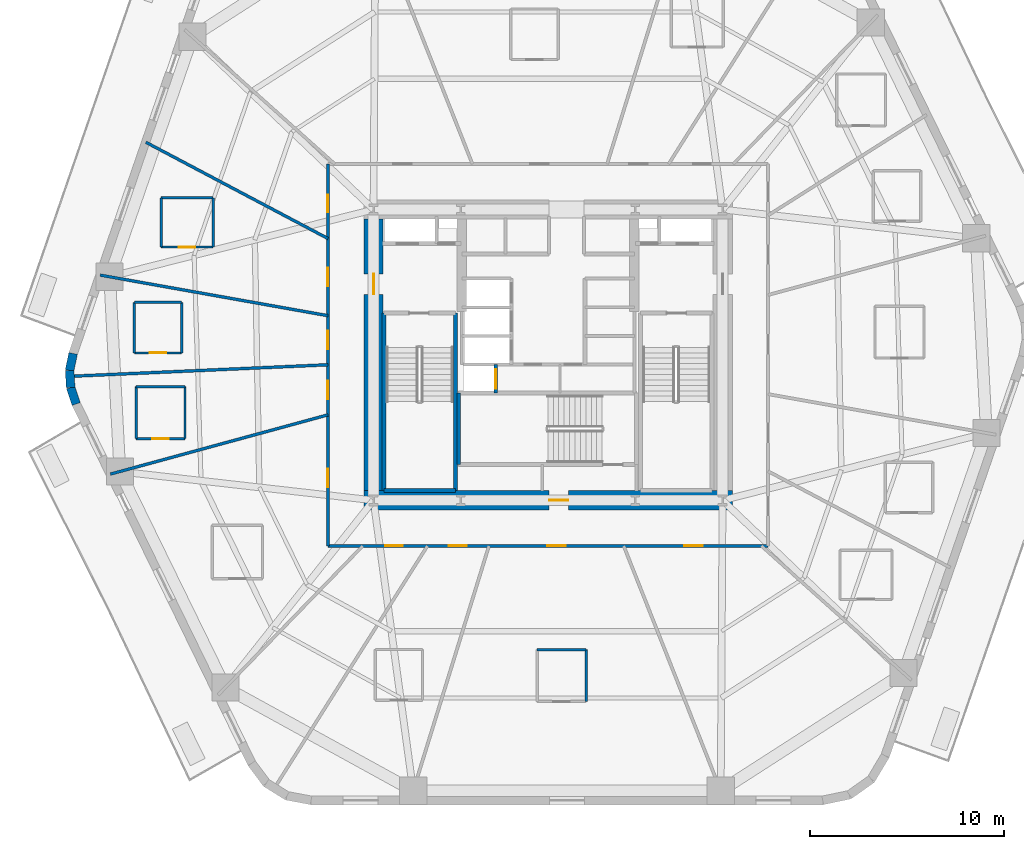
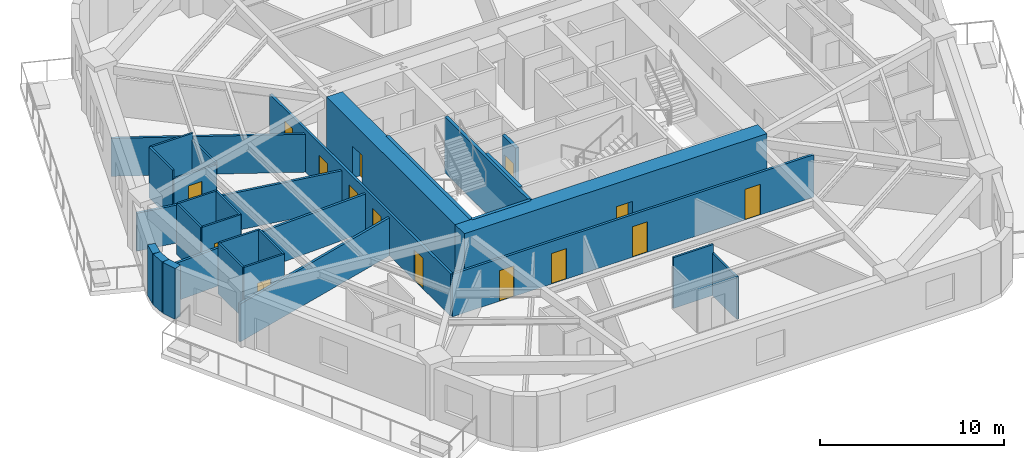
# One storey, part 3 of 10: 30 walls, 15 doors, 15 openings.
"""IFC4 building model written with IfcOpenShell, lengths in metres."""

from ifc_helpers import new_model, si_unit, direction, frame, frame_2d, origin, place, context, subcontext, project, spatial, rectangle, extrude, material, layer, layer_set, type_object, element, fill, save


model = new_model("IFC4")

# Units and contexts
model_context = context("Model", 3, precision=1e-05, world=origin(), true_north=direction((0.0, 1.0)))
body_context = subcontext(model_context, "Body", "Model", "MODEL_VIEW")
ifc_project = project(units=[si_unit("LENGTHUNIT", "METRE"), si_unit("AREAUNIT", "SQUARE_METRE"), si_unit("VOLUMEUNIT", "CUBIC_METRE"), si_unit("PLANEANGLEUNIT", "RADIAN"), si_unit("MASSUNIT", "GRAM", prefix="KILO")], contexts=[model_context])

# Site, building, storey
site_placement = place(None, origin())
site = spatial("IfcSite", under=ifc_project, at=site_placement, CompositionType="ELEMENT")
building_placement = place(site_placement, origin())
building = spatial("IfcBuilding", under=site, at=building_placement, Name="Kilnhurst Terrace Hotel", CompositionType="ELEMENT")
storey_placement = place(building_placement, frame((0.0, 0.0, 82.300048828125)))
storey = spatial("IfcBuildingStorey", under=building, at=storey_placement, Name="L19", CompositionType="ELEMENT", Elevation=82.300048828125)

# Walls
ifc_material_1 = material(Name="Precast concrete C40/50", Category="concrete")
ifc_layer_1 = layer(ifc_material_1, 0.449951171875, Name="Precast concrete C40/50")
ifc_layer_set_1 = layer_set([ifc_layer_1], Name="Precast concrete C40/50")
wall_type_1 = type_object("IfcWallType", Name="WL-BRK-450", PredefinedType="SOLIDWALL", material=ifc_layer_set_1)
wall_1_placement = place(storey_placement, frame((-24.49560546875, 0.07666015625, 0.0), z_axis=(0.0, 0.0, 1.0), x_axis=(-0.199570594521, -0.979883451132, 0.0)))
element("IfcWall", 1, at=wall_1_placement, inside=storey, type_object=wall_type_1, Name="L19 Rounded Corner Brick Wall C6.1", PredefinedType="SOLIDWALL", context=body_context, shape_type="SweptSolid", body=[
    extrude(rectangle(XDim=0.896728515625, YDim=0.449951171875, at=frame_2d((0.4482421875, 0.0))), origin(), (0.0, 0.0, 1.0), 3.3798828125),
])
wall_2_placement = place(storey_placement, frame((-24.674560546875, -0.802001953125, 0.0), z_axis=(0.0, 0.0, 1.0), x_axis=(0.061188874166, -0.998126205286, 0.0)))
element("IfcWall", 2, at=wall_2_placement, inside=storey, type_object=wall_type_1, Name="L19 Rounded Corner Brick Wall C6.2", PredefinedType="SOLIDWALL", context=body_context, shape_type="SweptSolid", body=[
    extrude(rectangle(XDim=0.8818359375, YDim=0.449951171875, at=frame_2d((0.44091796875, 0.0))), origin(), (0.0, 0.0, 1.0), 3.3798828125),
])
wall_3_placement = place(storey_placement, frame((-24.62060546875, -1.68212890625, 0.0), z_axis=(0.0, 0.0, 1.0), x_axis=(0.317697451681, -0.948192137278, 0.0)))
element("IfcWall", 3, at=wall_3_placement, inside=storey, type_object=wall_type_1, Name="L19 Rounded Corner Brick Wall C6.3", PredefinedType="SOLIDWALL", context=body_context, shape_type="SweptSolid", body=[
    extrude(rectangle(XDim=0.896728515625, YDim=0.449951171875, at=frame_2d((0.4482421875, 0.0))), origin(), (0.0, 0.0, 1.0), 3.3798828125),
])

# Wall, openings, doors
ifc_material_2 = material(Name="Acoustic Double-Gypsum Corridor Partition Assembly")
ifc_layer_2 = layer(ifc_material_2, 0.14990234375, Name="Acoustic Double-Gypsum Corridor Partition Assembly")
ifc_layer_set_2 = layer_set([ifc_layer_2], Name="Acoustic Double-Gypsum Corridor Partition Assembly")
wall_type_2 = type_object("IfcWallType", Name="WL-COR-150", PredefinedType="PARTITIONING", material=ifc_layer_set_2)
wall_4_placement = place(storey_placement, frame((-11.35009765625, -9.85009765625, 0.0), z_axis=(0.0, 0.0, 1.0), x_axis=(0.0, 1.0, 0.0)))
wall_4 = element("IfcWall", 4, at=wall_4_placement, inside=storey, type_object=wall_type_2, Name="L19 Interior Wall WL-L19-COR-01", PredefinedType="PARTITIONING", context=body_context, shape_type="SweptSolid", body=[
    extrude(rectangle(XDim=19.7001953125, YDim=0.14990234375, at=frame_2d((9.85009765625, 0.0))), origin(), (0.0, 0.0, 1.0), 2.820068359375),
])
opening_1_placement = place(wall_4_placement, frame((17.2060546875, 0.0, 0.0)))
opening_1 = element("IfcOpeningElement", 5, at=opening_1_placement, cuts=wall_4, Name="Opening D-60C", PredefinedType="OPENING", context=body_context, shape_type="SweptSolid", body=[
    extrude(rectangle(XDim=0.89990234375, YDim=2.030029296875, at=frame_2d((0.449951171875, 1.01513671875))), frame((0.0, 0.0849609375, 0.0), z_axis=(0.0, -1.0, 0.0), x_axis=(1.0, 0.0, 0.0)), (0.0, 0.0, 1.0), 0.169921875),
])
opening_2_placement = place(wall_4_placement, frame((13.403076171875, 0.0, 0.0)))
opening_2 = element("IfcOpeningElement", 6, at=opening_2_placement, cuts=wall_4, Name="Opening D-60B", PredefinedType="OPENING", context=body_context, shape_type="SweptSolid", body=[
    extrude(rectangle(XDim=0.949951171875, YDim=2.030029296875, at=frame_2d((0.47509765625, 1.01513671875))), frame((0.0, 0.0849609375, 0.0), z_axis=(0.0, -1.0, 0.0), x_axis=(1.0, 0.0, 0.0)), (0.0, 0.0, 1.0), 0.169921875),
])
opening_3_placement = place(wall_4_placement, frame((10.134033203125, 0.0, 0.0)))
opening_3 = element("IfcOpeningElement", 7, at=opening_3_placement, cuts=wall_4, Name="Opening D-60B", PredefinedType="OPENING", context=body_context, shape_type="SweptSolid", body=[
    extrude(rectangle(XDim=0.949951171875, YDim=2.030029296875, at=frame_2d((0.47509765625, 1.01513671875))), frame((0.0, 0.0849609375, 0.0), z_axis=(0.0, -1.0, 0.0), x_axis=(1.0, 0.0, 0.0)), (0.0, 0.0, 1.0), 0.169921875),
])
opening_4_placement = place(wall_4_placement, frame((7.571044921875, 0.0, 0.0)))
opening_4 = element("IfcOpeningElement", 8, at=opening_4_placement, cuts=wall_4, Name="Opening D-60B", PredefinedType="OPENING", context=body_context, shape_type="SweptSolid", body=[
    extrude(rectangle(XDim=0.949951171875, YDim=2.030029296875, at=frame_2d((0.47509765625, 1.01513671875))), frame((0.0, 0.0849609375, 0.0), z_axis=(0.0, -1.0, 0.0), x_axis=(1.0, 0.0, 0.0)), (0.0, 0.0, 1.0), 0.169921875),
])
opening_5_placement = place(wall_4_placement, frame((3.02392578125, 0.0, 0.0)))
opening_5 = element("IfcOpeningElement", 9, at=opening_5_placement, cuts=wall_4, Name="Opening D-60B", PredefinedType="OPENING", context=body_context, shape_type="SweptSolid", body=[
    extrude(rectangle(XDim=0.949951171875, YDim=2.030029296875, at=frame_2d((0.47509765625, 1.01513671875))), frame((0.0, 0.0849609375, 0.0), z_axis=(0.0, -1.0, 0.0), x_axis=(1.0, 0.0, 0.0)), (0.0, 0.0, 1.0), 0.169921875),
])
ifc_material_3 = material(Name="Painted Solid-Core Service Fire Door")
door_type_1 = type_object("IfcDoorType", Name="DR-FD60-900", OperationType="NOTDEFINED", PredefinedType="DOOR", material=ifc_material_3)
door_1_placement = place(opening_1_placement, origin())
door_1 = element("IfcDoor", 10, at=door_1_placement, inside=storey, type_object=door_type_1, Name="L19 Executive Work Office Door 7", OperationType="SINGLE_SWING_LEFT", OverallHeight=2.030029296875, OverallWidth=0.89990234375, PredefinedType="DOOR", context=body_context, shape_type="SweptSolid", body=[
    extrude(rectangle(XDim=0.89990234375, YDim=2.030029296875, at=frame_2d((0.449951171875, 1.01513671875))), frame((0.0, 0.02490234375, 0.0), z_axis=(0.0, -1.0, 0.0), x_axis=(1.0, 0.0, 0.0)), (0.0, 0.0, 1.0), 0.050048828125),
])
fill(opening_1, door_1)
ifc_material_4 = material(Name="Acoustic Walnut Veneer Solid-Core Fire Door")
door_type_2 = type_object("IfcDoorType", Name="DR-FD60-950", OperationType="NOTDEFINED", PredefinedType="DOOR", material=ifc_material_4)
door_2_placement = place(opening_2_placement, origin())
door_2 = element("IfcDoor", 11, at=door_2_placement, inside=storey, type_object=door_type_2, Name="L19 Guest Room Entry Door 8", OperationType="SINGLE_SWING_RIGHT", OverallHeight=2.030029296875, OverallWidth=0.949951171875, PredefinedType="DOOR", context=body_context, shape_type="SweptSolid", body=[
    extrude(rectangle(XDim=0.949951171875, YDim=2.030029296875, at=frame_2d((0.47509765625, 1.01513671875))), frame((0.0, 0.02490234375, 0.0), z_axis=(0.0, -1.0, 0.0), x_axis=(1.0, 0.0, 0.0)), (0.0, 0.0, 1.0), 0.050048828125),
])
fill(opening_2, door_2)
door_3_placement = place(opening_3_placement, origin())
door_3 = element("IfcDoor", 12, at=door_3_placement, inside=storey, type_object=door_type_2, Name="L19 Guest Room Entry Door 9", OperationType="SINGLE_SWING_LEFT", OverallHeight=2.030029296875, OverallWidth=0.949951171875, PredefinedType="DOOR", context=body_context, shape_type="SweptSolid", body=[
    extrude(rectangle(XDim=0.949951171875, YDim=2.030029296875, at=frame_2d((0.47509765625, 1.01513671875))), frame((0.0, 0.02490234375, 0.0), z_axis=(0.0, -1.0, 0.0), x_axis=(1.0, 0.0, 0.0)), (0.0, 0.0, 1.0), 0.050048828125),
])
fill(opening_3, door_3)
door_4_placement = place(opening_4_placement, origin())
door_4 = element("IfcDoor", 13, at=door_4_placement, inside=storey, type_object=door_type_2, Name="L19 Guest Room Entry Door 10", OperationType="SINGLE_SWING_RIGHT", OverallHeight=2.030029296875, OverallWidth=0.949951171875, PredefinedType="DOOR", context=body_context, shape_type="SweptSolid", body=[
    extrude(rectangle(XDim=0.949951171875, YDim=2.030029296875, at=frame_2d((0.47509765625, 1.01513671875))), frame((0.0, 0.02490234375, 0.0), z_axis=(0.0, -1.0, 0.0), x_axis=(1.0, 0.0, 0.0)), (0.0, 0.0, 1.0), 0.050048828125),
])
fill(opening_4, door_4)
door_5_placement = place(opening_5_placement, origin())
door_5 = element("IfcDoor", 14, at=door_5_placement, inside=storey, type_object=door_type_2, Name="L19 Executive Suite Entry Door 11", OperationType="SINGLE_SWING_LEFT", OverallHeight=2.030029296875, OverallWidth=0.949951171875, PredefinedType="DOOR", context=body_context, shape_type="SweptSolid", body=[
    extrude(rectangle(XDim=0.949951171875, YDim=2.030029296875, at=frame_2d((0.47509765625, 1.01513671875))), frame((0.0, 0.02490234375, 0.0), z_axis=(0.0, -1.0, 0.0), x_axis=(1.0, 0.0, 0.0)), (0.0, 0.0, 1.0), 0.050048828125),
])
fill(opening_5, door_5)

wall_5_placement = place(storey_placement, frame((11.35009765625, -9.85009765625, 0.0), z_axis=(0.0, 0.0, 1.0), x_axis=(-1.0, 0.0, 0.0)))
wall_5 = element("IfcWall", 15, at=wall_5_placement, inside=storey, type_object=wall_type_2, Name="L19 Interior Wall WL-L19-COR-04", PredefinedType="PARTITIONING", context=body_context, shape_type="SweptSolid", body=[
    extrude(rectangle(XDim=22.7001953125, YDim=0.14990234375, at=frame_2d((11.35009765625, 0.0))), origin(), (0.0, 0.0, 1.0), 2.820068359375),
])
opening_6_placement = place(wall_5_placement, frame((18.8369140625, 0.0, 0.0)))
opening_6 = element("IfcOpeningElement", 16, at=opening_6_placement, cuts=wall_5, Name="Opening D-60C", PredefinedType="OPENING", context=body_context, shape_type="SweptSolid", body=[
    extrude(rectangle(XDim=0.89990234375, YDim=2.030029296875, at=frame_2d((0.449951171875, 1.01513671875))), frame((0.0, 0.0849609375, 0.0), z_axis=(0.0, -1.0, 0.0), x_axis=(1.0, 0.0, 0.0)), (0.0, 0.0, 1.0), 0.169921875),
])
opening_7_placement = place(wall_5_placement, frame((15.531982421875, 0.0, 0.0)))
opening_7 = element("IfcOpeningElement", 17, at=opening_7_placement, cuts=wall_5, Name="Opening D-60B", PredefinedType="OPENING", context=body_context, shape_type="SweptSolid", body=[
    extrude(rectangle(XDim=0.949951171875, YDim=2.030029296875, at=frame_2d((0.47509765625, 1.01513671875))), frame((0.0, 0.0849609375, 0.0), z_axis=(0.0, -1.0, 0.0), x_axis=(1.0, 0.0, 0.0)), (0.0, 0.0, 1.0), 0.169921875),
])
opening_8_placement = place(wall_5_placement, frame((10.444091796875, 0.0, 0.0)))
opening_8 = element("IfcOpeningElement", 18, at=opening_8_placement, cuts=wall_5, Name="Opening D-60B", PredefinedType="OPENING", context=body_context, shape_type="SweptSolid", body=[
    extrude(rectangle(XDim=0.949951171875, YDim=2.030029296875, at=frame_2d((0.47509765625, 1.01513671875))), frame((0.0, 0.0849609375, 0.0), z_axis=(0.0, -1.0, 0.0), x_axis=(1.0, 0.0, 0.0)), (0.0, 0.0, 1.0), 0.169921875),
])
opening_9_placement = place(wall_5_placement, frame((3.368896484375, 0.0, 0.0)))
opening_9 = element("IfcOpeningElement", 19, at=opening_9_placement, cuts=wall_5, Name="Opening D-60B", PredefinedType="OPENING", context=body_context, shape_type="SweptSolid", body=[
    extrude(rectangle(XDim=0.949951171875, YDim=2.030029296875, at=frame_2d((0.47509765625, 1.01513671875))), frame((0.0, 0.0849609375, 0.0), z_axis=(0.0, -1.0, 0.0), x_axis=(1.0, 0.0, 0.0)), (0.0, 0.0, 1.0), 0.169921875),
])
door_6_placement = place(opening_6_placement, origin())
door_6 = element("IfcDoor", 20, at=door_6_placement, inside=storey, type_object=door_type_1, Name="L19 Botanical Reading Lounge Door 12", OperationType="SINGLE_SWING_RIGHT", OverallHeight=2.030029296875, OverallWidth=0.89990234375, PredefinedType="DOOR", context=body_context, shape_type="SweptSolid", body=[
    extrude(rectangle(XDim=0.89990234375, YDim=2.030029296875, at=frame_2d((0.449951171875, 1.01513671875))), frame((0.0, 0.02490234375, 0.0), z_axis=(0.0, -1.0, 0.0), x_axis=(1.0, 0.0, 0.0)), (0.0, 0.0, 1.0), 0.050048828125),
])
fill(opening_6, door_6)
door_7_placement = place(opening_7_placement, origin())
door_7 = element("IfcDoor", 21, at=door_7_placement, inside=storey, type_object=door_type_2, Name="L19 Guest Room Entry Door 13", OperationType="SINGLE_SWING_LEFT", OverallHeight=2.030029296875, OverallWidth=0.949951171875, PredefinedType="DOOR", context=body_context, shape_type="SweptSolid", body=[
    extrude(rectangle(XDim=0.949951171875, YDim=2.030029296875, at=frame_2d((0.47509765625, 1.01513671875))), frame((0.0, 0.02490234375, 0.0), z_axis=(0.0, -1.0, 0.0), x_axis=(1.0, 0.0, 0.0)), (0.0, 0.0, 1.0), 0.050048828125),
])
fill(opening_7, door_7)
door_8_placement = place(opening_8_placement, origin())
door_8 = element("IfcDoor", 22, at=door_8_placement, inside=storey, type_object=door_type_2, Name="L19 Executive Suite Entry Door 14", OperationType="SINGLE_SWING_RIGHT", OverallHeight=2.030029296875, OverallWidth=0.949951171875, PredefinedType="DOOR", context=body_context, shape_type="SweptSolid", body=[
    extrude(rectangle(XDim=0.949951171875, YDim=2.030029296875, at=frame_2d((0.47509765625, 1.01513671875))), frame((0.0, 0.02490234375, 0.0), z_axis=(0.0, -1.0, 0.0), x_axis=(1.0, 0.0, 0.0)), (0.0, 0.0, 1.0), 0.050048828125),
])
fill(opening_8, door_8)
door_9_placement = place(opening_9_placement, origin())
door_9 = element("IfcDoor", 23, at=door_9_placement, inside=storey, type_object=door_type_2, Name="L19 Executive Meeting Room Door", OperationType="SINGLE_SWING_LEFT", OverallHeight=2.030029296875, OverallWidth=0.949951171875, PredefinedType="DOOR", context=body_context, shape_type="SweptSolid", body=[
    extrude(rectangle(XDim=0.949951171875, YDim=2.030029296875, at=frame_2d((0.47509765625, 1.01513671875))), frame((0.0, 0.02490234375, 0.0), z_axis=(0.0, -1.0, 0.0), x_axis=(1.0, 0.0, 0.0)), (0.0, 0.0, 1.0), 0.050048828125),
])
fill(opening_9, door_9)

# Wall, opening, door
ifc_material_5 = material(Name="Concrete C80/95", Category="concrete")
ifc_layer_3 = layer(ifc_material_5, 1.0, Name="Concrete C80/95")
ifc_layer_set_3 = layer_set([ifc_layer_3], Name="Concrete C80/95")
wall_type_3 = type_object("IfcWallType", Name="WL-CORE-1000", PredefinedType="SHEAR", material=ifc_layer_set_3)
wall_6_placement = place(storey_placement, frame((-9.5, -7.5, 0.0), z_axis=(0.0, 0.0, 1.0), x_axis=(1.0, 0.0, 0.0)))
wall_6 = element("IfcWall", 24, at=wall_6_placement, inside=storey, type_object=wall_type_3, Name="L19 Core South Shear Wall", PredefinedType="SHEAR", context=body_context, shape_type="SweptSolid", body=[
    extrude(rectangle(XDim=19.0, YDim=1.0, at=frame_2d((9.5, 0.0))), origin(), (0.0, 0.0, 1.0), 3.699951171875),
])
opening_10_placement = place(wall_6_placement, frame((9.550048828125, 0.0, 0.0)))
opening_10 = element("IfcOpeningElement", 25, at=opening_10_placement, cuts=wall_6, Name="Opening D-90B", PredefinedType="OPENING", context=body_context, shape_type="SweptSolid", body=[
    extrude(rectangle(XDim=1.0, YDim=2.14990234375, at=frame_2d((0.5, 1.074951171875))), frame((0.0, 0.510009765625, 0.0), z_axis=(0.0, -1.0, 0.0), x_axis=(1.0, 0.0, 0.0)), (0.0, 0.0, 1.0), 1.02001953125),
])
ifc_material_6 = material(Name="Painted Hollow Metal Steel ASTM A36 Fire Door", Category="steel")
door_type_3 = type_object("IfcDoorType", Name="DR-FD90-1000", OperationType="NOTDEFINED", PredefinedType="DOOR", material=ifc_material_6)
door_10_placement = place(opening_10_placement, origin())
door_10 = element("IfcDoor", 26, at=door_10_placement, inside=storey, type_object=door_type_3, Name="L19 Stair ST-3 Corridor Door", OperationType="SINGLE_SWING_RIGHT", OverallHeight=2.14990234375, OverallWidth=1.0, PredefinedType="DOOR", context=body_context, shape_type="SweptSolid", body=[
    extrude(rectangle(XDim=1.0, YDim=2.14990234375, at=frame_2d((0.5, 1.074951171875))), frame((0.0, 0.02490234375, 0.0), z_axis=(0.0, -1.0, 0.0), x_axis=(1.0, 0.0, 0.0)), (0.0, 0.0, 1.0), 0.050048828125),
])
fill(opening_10, door_10)

wall_7_placement = place(storey_placement, frame((-9.0, -7.0, 0.0), z_axis=(0.0, 0.0, 1.0), x_axis=(0.0, 1.0, 0.0)))
wall_7 = element("IfcWall", 27, at=wall_7_placement, inside=storey, type_object=wall_type_3, Name="L19 Core West Shear Wall", PredefinedType="SHEAR", context=body_context, shape_type="SweptSolid", body=[
    extrude(rectangle(XDim=14.0, YDim=1.0, at=frame_2d((7.0, 0.0))), origin(), (0.0, 0.0, 1.0), 3.699951171875),
])
opening_11_placement = place(wall_7_placement, frame((10.125, 0.0, 0.0)))
opening_11 = element("IfcOpeningElement", 28, at=opening_11_placement, cuts=wall_7, Name="Opening D-90A", PredefinedType="OPENING", context=body_context, shape_type="SweptSolid", body=[
    extrude(rectangle(XDim=1.050048828125, YDim=2.14990234375, at=frame_2d((0.52490234375, 1.074951171875))), frame((0.0, 0.510009765625, 0.0), z_axis=(0.0, -1.0, 0.0), x_axis=(1.0, 0.0, 0.0)), (0.0, 0.0, 1.0), 1.02001953125),
])
door_type_4 = type_object("IfcDoorType", Name="DR-FD90-1050", OperationType="NOTDEFINED", PredefinedType="DOOR", material=ifc_material_6)
door_11_placement = place(opening_11_placement, origin())
door_11 = element("IfcDoor", 29, at=door_11_placement, inside=storey, type_object=door_type_4, Name="L19 West Firefighting Lobby Door", OperationType="SINGLE_SWING_RIGHT", OverallHeight=2.14990234375, OverallWidth=1.050048828125, PredefinedType="DOOR", context=body_context, shape_type="SweptSolid", body=[
    extrude(rectangle(XDim=1.050048828125, YDim=2.14990234375, at=frame_2d((0.52490234375, 1.074951171875))), frame((0.0, 0.02490234375, 0.0), z_axis=(0.0, -1.0, 0.0), x_axis=(1.0, 0.0, 0.0)), (0.0, 0.0, 1.0), 0.050048828125),
])
fill(opening_11, door_11)

# Walls
ifc_material_7 = material(Name="STC-58 Acoustic Twin-Frame Guestroom Demising Partition")
ifc_layer_4 = layer(ifc_material_7, 0.14990234375, Name="STC-58 Acoustic Twin-Frame Guestroom Demising Partition")
ifc_layer_set_4 = layer_set([ifc_layer_4], Name="STC-58 Acoustic Twin-Frame Guestroom Demising Partition")
wall_type_4 = type_object("IfcWallType", Name="WL-DEM-150", PredefinedType="PARTITIONING", material=ifc_layer_set_4)
wall_8_placement = place(storey_placement, frame((-11.35009765625, 6.00146484375, 0.0), z_axis=(0.0, 0.0, 1.0), x_axis=(-0.884022077319, 0.467445148453, 0.0)))
element("IfcWall", 30, at=wall_8_placement, inside=storey, type_object=wall_type_4, Name="L19 Interior Wall WL-L19-DEM-MID05-08-1", PredefinedType="PARTITIONING", context=body_context, shape_type="SweptSolid", body=[
    extrude(rectangle(XDim=10.621337890625, YDim=0.14990234375, at=frame_2d((5.310546875, 0.0))), origin(), (0.0, 0.0, 1.0), 2.52001953125),
])
wall_9_placement = place(storey_placement, frame((-11.35009765625, 2.022705078125, 0.0), z_axis=(0.0, 0.0, 1.0), x_axis=(-0.984493741877, 0.17541970301, 0.0)))
element("IfcWall", 31, at=wall_9_placement, inside=storey, type_object=wall_type_4, Name="L19 Interior Wall WL-L19-DEM-COL06-09-1", PredefinedType="PARTITIONING", context=body_context, shape_type="SweptSolid", body=[
    extrude(rectangle(XDim=11.93701171875, YDim=0.14990234375, at=frame_2d((5.968505859375, 0.0))), origin(), (0.0, 0.0, 1.0), 2.52001953125),
])
wall_10_placement = place(storey_placement, frame((-11.35009765625, -0.50830078125, 0.0), z_axis=(0.0, 0.0, 1.0), x_axis=(-0.998998237556, -0.044749540337, 0.0)))
element("IfcWall", 32, at=wall_10_placement, inside=storey, type_object=wall_type_4, Name="L19 Interior Wall WL-L19-DEM-MID06-10-1", PredefinedType="PARTITIONING", context=body_context, shape_type="SweptSolid", body=[
    extrude(rectangle(XDim=13.1591796875, YDim=0.14990234375, at=frame_2d((6.57958984375, 0.0))), origin(), (0.0, 0.0, 1.0), 2.52001953125),
])
wall_11_placement = place(storey_placement, frame((-11.35009765625, -3.0908203125, 0.0), z_axis=(0.0, 0.0, 1.0), x_axis=(-0.964859685283, -0.262765651704, 0.0)))
element("IfcWall", 33, at=wall_11_placement, inside=storey, type_object=wall_type_4, Name="L19 Interior Wall WL-L19-DEM-COL07-11-1", PredefinedType="PARTITIONING", context=body_context, shape_type="SweptSolid", body=[
    extrude(rectangle(XDim=11.62890625, YDim=0.14990234375, at=frame_2d((5.814453125, 0.0))), origin(), (0.0, 0.0, 1.0), 2.52001953125),
])

# Wall, opening, door
ifc_material_8 = material(Name="120 mm Moisture-Resistant Tile-Backed Bathroom Partition")
ifc_layer_5 = layer(ifc_material_8, 0.1201171875, Name="120 mm Moisture-Resistant Tile-Backed Bathroom Partition")
ifc_layer_set_5 = layer_set([ifc_layer_5], Name="120 mm Moisture-Resistant Tile-Backed Bathroom Partition")
wall_type_5 = type_object("IfcWallType", Name="WL-PART-120", PredefinedType="PARTITIONING", material=ifc_layer_set_5)
wall_12_placement = place(storey_placement, frame((-19.9541015625, 5.56298828125, 0.0), z_axis=(0.0, 0.0, 1.0), x_axis=(1.0, 0.0, 0.0)))
wall_12 = element("IfcWall", 34, at=wall_12_placement, inside=storey, type_object=wall_type_5, Name="L19 Interior Wall WL-L19-BTH-08-1", PredefinedType="PARTITIONING", context=body_context, shape_type="SweptSolid", body=[
    extrude(rectangle(XDim=2.68017578125, YDim=0.1201171875, at=frame_2d((1.340087890625, 0.0))), origin(), (0.0, 0.0, 1.0), 2.820068359375),
])
opening_12_placement = place(wall_12_placement, frame((0.9150390625, 0.0, 0.0)))
opening_12 = element("IfcOpeningElement", 35, at=opening_12_placement, cuts=wall_12, Name="Opening D-08A", PredefinedType="OPENING", context=body_context, shape_type="SweptSolid", body=[
    extrude(rectangle(XDim=0.85009765625, YDim=2.030029296875, at=frame_2d((0.425048828125, 1.01513671875))), frame((0.0, 0.070068359375, 0.0), z_axis=(0.0, -1.0, 0.0), x_axis=(1.0, 0.0, 0.0)), (0.0, 0.0, 1.0), 0.14013671875),
])
ifc_material_9 = material(Name="Moisture-Resistant Lacquered En-suite Bathroom Door")
door_type_5 = type_object("IfcDoorType", Name="DR-INT-850", OperationType="NOTDEFINED", PredefinedType="DOOR", material=ifc_material_9)
door_12_placement = place(opening_12_placement, origin())
door_12 = element("IfcDoor", 36, at=door_12_placement, inside=storey, type_object=door_type_5, Name="L19 En-suite Bathroom Door 8", OperationType="SINGLE_SWING_LEFT", OverallHeight=2.030029296875, OverallWidth=0.85009765625, PredefinedType="DOOR", context=body_context, shape_type="SweptSolid", body=[
    extrude(rectangle(XDim=0.85009765625, YDim=2.030029296875, at=frame_2d((0.425048828125, 1.01513671875))), frame((0.0, 0.02490234375, 0.0), z_axis=(0.0, -1.0, 0.0), x_axis=(1.0, 0.0, 0.0)), (0.0, 0.0, 1.0), 0.050048828125),
])
fill(opening_12, door_12)

# Walls
wall_13_placement = place(storey_placement, frame((-17.27392578125, 5.56298828125, 0.0), z_axis=(0.0, 0.0, 1.0), x_axis=(0.0, 1.0, 0.0)))
element("IfcWall", 37, at=wall_13_placement, inside=storey, type_object=wall_type_5, Name="L19 Interior Wall WL-L19-BTH-08-2", PredefinedType="PARTITIONING", context=body_context, shape_type="SweptSolid", body=[
    extrude(rectangle(XDim=2.5400390625, YDim=0.1201171875, at=frame_2d((1.27001953125, 0.0))), origin(), (0.0, 0.0, 1.0), 2.9521484375),
])
wall_14_placement = place(storey_placement, frame((-17.27392578125, 8.10302734375, 0.0), z_axis=(0.0, 0.0, 1.0), x_axis=(-1.0, 0.0, 0.0)))
element("IfcWall", 38, at=wall_14_placement, inside=storey, type_object=wall_type_5, Name="L19 Interior Wall WL-L19-BTH-08-3", PredefinedType="PARTITIONING", context=body_context, shape_type="SweptSolid", body=[
    extrude(rectangle(XDim=2.68017578125, YDim=0.1201171875, at=frame_2d((1.340087890625, 0.0))), origin(), (0.0, 0.0, 1.0), 3.3798828125),
])
wall_15_placement = place(storey_placement, frame((-19.9541015625, 8.10302734375, 0.0), z_axis=(0.0, 0.0, 1.0), x_axis=(0.0, -1.0, 0.0)))
element("IfcWall", 39, at=wall_15_placement, inside=storey, type_object=wall_type_5, Name="L19 Interior Wall WL-L19-BTH-08-4", PredefinedType="PARTITIONING", context=body_context, shape_type="SweptSolid", body=[
    extrude(rectangle(XDim=2.5400390625, YDim=0.1201171875, at=frame_2d((1.27001953125, 0.0))), origin(), (0.0, 0.0, 1.0), 3.3798828125),
])

# Wall, opening, door
wall_16_placement = place(storey_placement, frame((-21.333984375, 0.10205078125, 0.0), z_axis=(0.0, 0.0, 1.0), x_axis=(1.0, 0.0, 0.0)))
wall_16 = element("IfcWall", 40, at=wall_16_placement, inside=storey, type_object=wall_type_5, Name="L19 Interior Wall WL-L19-BTH-09-1", PredefinedType="PARTITIONING", context=body_context, shape_type="SweptSolid", body=[
    extrude(rectangle(XDim=2.43994140625, YDim=0.1201171875, at=frame_2d((1.219970703125, 0.0))), origin(), (0.0, 0.0, 1.0), 3.3798828125),
])
opening_13_placement = place(wall_16_placement, frame((0.794921875, 0.0, 0.0)))
opening_13 = element("IfcOpeningElement", 41, at=opening_13_placement, cuts=wall_16, Name="Opening D-08A", PredefinedType="OPENING", context=body_context, shape_type="SweptSolid", body=[
    extrude(rectangle(XDim=0.85009765625, YDim=2.030029296875, at=frame_2d((0.425048828125, 1.01513671875))), frame((0.0, 0.070068359375, 0.0), z_axis=(0.0, -1.0, 0.0), x_axis=(1.0, 0.0, 0.0)), (0.0, 0.0, 1.0), 0.14013671875),
])
door_13_placement = place(opening_13_placement, origin())
door_13 = element("IfcDoor", 42, at=door_13_placement, inside=storey, type_object=door_type_5, Name="L19 En-suite Bathroom Door 9", OperationType="SINGLE_SWING_RIGHT", OverallHeight=2.030029296875, OverallWidth=0.85009765625, PredefinedType="DOOR", context=body_context, shape_type="SweptSolid", body=[
    extrude(rectangle(XDim=0.85009765625, YDim=2.030029296875, at=frame_2d((0.425048828125, 1.01513671875))), frame((0.0, 0.02490234375, 0.0), z_axis=(0.0, -1.0, 0.0), x_axis=(1.0, 0.0, 0.0)), (0.0, 0.0, 1.0), 0.050048828125),
])
fill(opening_13, door_13)

# Walls
wall_17_placement = place(storey_placement, frame((-18.89404296875, 0.10205078125, 0.0), z_axis=(0.0, 0.0, 1.0), x_axis=(0.0, 1.0, 0.0)))
element("IfcWall", 43, at=wall_17_placement, inside=storey, type_object=wall_type_5, Name="L19 Interior Wall WL-L19-BTH-09-2", PredefinedType="PARTITIONING", context=body_context, shape_type="SweptSolid", body=[
    extrude(rectangle(XDim=2.60986328125, YDim=0.1201171875, at=frame_2d((1.304931640625, 0.0))), origin(), (0.0, 0.0, 1.0), 3.3798828125),
])
wall_18_placement = place(storey_placement, frame((-18.89404296875, 2.7119140625, 0.0), z_axis=(0.0, 0.0, 1.0), x_axis=(-1.0, 0.0, 0.0)))
element("IfcWall", 44, at=wall_18_placement, inside=storey, type_object=wall_type_5, Name="L19 Interior Wall WL-L19-BTH-09-3", PredefinedType="PARTITIONING", context=body_context, shape_type="SweptSolid", body=[
    extrude(rectangle(XDim=2.43994140625, YDim=0.1201171875, at=frame_2d((1.219970703125, 0.0))), origin(), (0.0, 0.0, 1.0), 3.3798828125),
])
wall_19_placement = place(storey_placement, frame((-21.333984375, 2.7119140625, 0.0), z_axis=(0.0, 0.0, 1.0), x_axis=(0.0, -1.0, 0.0)))
element("IfcWall", 45, at=wall_19_placement, inside=storey, type_object=wall_type_5, Name="L19 Interior Wall WL-L19-BTH-09-4", PredefinedType="PARTITIONING", context=body_context, shape_type="SweptSolid", body=[
    extrude(rectangle(XDim=2.60986328125, YDim=0.1201171875, at=frame_2d((1.304931640625, 0.0))), origin(), (0.0, 0.0, 1.0), 3.3798828125),
])

# Wall, opening, door
wall_20_placement = place(storey_placement, frame((-21.239990234375, -4.321044921875, 0.0), z_axis=(0.0, 0.0, 1.0), x_axis=(1.0, 0.0, 0.0)))
wall_20 = element("IfcWall", 46, at=wall_20_placement, inside=storey, type_object=wall_type_5, Name="L19 Interior Wall WL-L19-BTH-10-1", PredefinedType="PARTITIONING", context=body_context, shape_type="SweptSolid", body=[
    extrude(rectangle(XDim=2.52001953125, YDim=0.1201171875, at=frame_2d((1.260009765625, 0.0))), origin(), (0.0, 0.0, 1.0), 3.3798828125),
])
opening_14_placement = place(wall_20_placement, frame((0.8349609375, 0.0, 0.0)))
opening_14 = element("IfcOpeningElement", 47, at=opening_14_placement, cuts=wall_20, Name="Opening D-08A", PredefinedType="OPENING", context=body_context, shape_type="SweptSolid", body=[
    extrude(rectangle(XDim=0.85009765625, YDim=2.030029296875, at=frame_2d((0.425048828125, 1.01513671875))), frame((0.0, 0.070068359375, 0.0), z_axis=(0.0, -1.0, 0.0), x_axis=(1.0, 0.0, 0.0)), (0.0, 0.0, 1.0), 0.14013671875),
])
door_14_placement = place(opening_14_placement, origin())
door_14 = element("IfcDoor", 48, at=door_14_placement, inside=storey, type_object=door_type_5, Name="L19 En-suite Bathroom Door 10", OperationType="SINGLE_SWING_LEFT", OverallHeight=2.030029296875, OverallWidth=0.85009765625, PredefinedType="DOOR", context=body_context, shape_type="SweptSolid", body=[
    extrude(rectangle(XDim=0.85009765625, YDim=2.030029296875, at=frame_2d((0.425048828125, 1.01513671875))), frame((0.0, 0.02490234375, 0.0), z_axis=(0.0, -1.0, 0.0), x_axis=(1.0, 0.0, 0.0)), (0.0, 0.0, 1.0), 0.050048828125),
])
fill(opening_14, door_14)

# Walls
wall_21_placement = place(storey_placement, frame((-18.719970703125, -4.321044921875, 0.0), z_axis=(0.0, 0.0, 1.0), x_axis=(0.0, 1.0, 0.0)))
element("IfcWall", 49, at=wall_21_placement, inside=storey, type_object=wall_type_5, Name="L19 Interior Wall WL-L19-BTH-10-2", PredefinedType="PARTITIONING", context=body_context, shape_type="SweptSolid", body=[
    extrude(rectangle(XDim=2.679931640625, YDim=0.1201171875, at=frame_2d((1.33984375, 0.0))), origin(), (0.0, 0.0, 1.0), 3.3798828125),
])
wall_22_placement = place(storey_placement, frame((-18.719970703125, -1.64111328125, 0.0), z_axis=(0.0, 0.0, 1.0), x_axis=(-1.0, 0.0, 0.0)))
element("IfcWall", 50, at=wall_22_placement, inside=storey, type_object=wall_type_5, Name="L19 Interior Wall WL-L19-BTH-10-3", PredefinedType="PARTITIONING", context=body_context, shape_type="SweptSolid", body=[
    extrude(rectangle(XDim=2.52001953125, YDim=0.1201171875, at=frame_2d((1.260009765625, 0.0))), origin(), (0.0, 0.0, 1.0), 3.3798828125),
])
wall_23_placement = place(storey_placement, frame((-21.239990234375, -1.64111328125, 0.0), z_axis=(0.0, 0.0, 1.0), x_axis=(0.0, -1.0, 0.0)))
element("IfcWall", 51, at=wall_23_placement, inside=storey, type_object=wall_type_5, Name="L19 Interior Wall WL-L19-BTH-10-4", PredefinedType="PARTITIONING", context=body_context, shape_type="SweptSolid", body=[
    extrude(rectangle(XDim=2.679931640625, YDim=0.1201171875, at=frame_2d((1.33984375, 0.0))), origin(), (0.0, 0.0, 1.0), 3.3798828125),
])
wall_24_placement = place(storey_placement, frame((1.9619140625, -17.876953125, 0.0), z_axis=(0.0, 0.0, 1.0), x_axis=(0.0, 1.0, 0.0)))
element("IfcWall", 52, at=wall_24_placement, inside=storey, type_object=wall_type_5, Name="L19 Interior Wall WL-L19-BTH-14-2", PredefinedType="PARTITIONING", context=body_context, shape_type="SweptSolid", body=[
    extrude(rectangle(XDim=2.679931640625, YDim=0.1201171875, at=frame_2d((1.33984375, 0.0))), origin(), (0.0, 0.0, 1.0), 2.8203125),
])
wall_25_placement = place(storey_placement, frame((1.9619140625, -15.197021484375, 0.0), z_axis=(0.0, 0.0, 1.0), x_axis=(-1.0, 0.0, 0.0)))
element("IfcWall", 53, at=wall_25_placement, inside=storey, type_object=wall_type_5, Name="L19 Interior Wall WL-L19-BTH-14-3", PredefinedType="PARTITIONING", context=body_context, shape_type="SweptSolid", body=[
    extrude(rectangle(XDim=2.52001953125, YDim=0.1201171875, at=frame_2d((1.260009765625, 0.0))), origin(), (0.0, 0.0, 1.0), 3.3798828125),
])

# Wall, opening, door
ifc_material_10 = material(Name="Autoclaved Aerated Concrete C30/37 and Gypsum Shaft Assembly", Category="concrete")
ifc_layer_6 = layer(ifc_material_10, 0.199951171875, Name="Autoclaved Aerated Concrete C30/37 and Gypsum Shaft Assembly")
ifc_layer_set_6 = layer_set([ifc_layer_6], Name="Autoclaved Aerated Concrete C30/37 and Gypsum Shaft Assembly")
wall_type_6 = type_object("IfcWallType", Name="WL-SHAFT-200", PredefinedType="PARTITIONING", material=ifc_layer_set_6)
wall_26_placement = place(storey_placement, frame((-2.699951171875, -1.971923828125, 0.0), z_axis=(0.0, 0.0, 1.0), x_axis=(0.0, 1.0, 0.0)))
wall_26 = element("IfcWall", 54, at=wall_26_placement, inside=storey, type_object=wall_type_6, Name="L19 Interior Wall WL-L19-SRV1-E", PredefinedType="PARTITIONING", context=body_context, shape_type="SweptSolid", body=[
    extrude(rectangle(XDim=1.471923828125, YDim=0.199951171875, at=frame_2d((0.73583984375, 0.0))), origin(), (0.0, 0.0, 1.0), 3.3798828125),
])
opening_15_placement = place(wall_26_placement, frame((0.239990234375, 0.0, 0.0)))
opening_15 = element("IfcOpeningElement", 55, at=opening_15_placement, cuts=wall_26, Name="Opening LD-SV", PredefinedType="OPENING", context=body_context, shape_type="SweptSolid", body=[
    extrude(rectangle(XDim=1.0, YDim=2.199951171875, at=frame_2d((0.5, 1.10009765625))), frame((0.0, 0.10986328125, 0.0), z_axis=(0.0, -1.0, 0.0), x_axis=(1.0, 0.0, 0.0)), (0.0, 0.0, 1.0), 0.219970703125),
])
ifc_material_11 = material(Name="Bronze-Anodized Stainless Steel AISI 316L Sliding Door", Category="steel")
door_type_6 = type_object("IfcDoorType", Name="DR-LIFT-1000", OperationType="NOTDEFINED", PredefinedType="DOOR", material=ifc_material_11)
door_15_placement = place(opening_15_placement, origin())
door_15 = element("IfcDoor", 56, at=door_15_placement, inside=storey, type_object=door_type_6, Name="L19 Service Lift SRV-1 Landing Door", OperationType="SLIDING_TO_LEFT", OverallHeight=2.199951171875, OverallWidth=1.0, PredefinedType="DOOR", context=body_context, shape_type="SweptSolid", body=[
    extrude(rectangle(XDim=1.0, YDim=2.199951171875, at=frame_2d((0.5, 1.10009765625))), frame((0.0, 0.02490234375, 0.0), z_axis=(0.0, -1.0, 0.0), x_axis=(1.0, 0.0, 0.0)), (0.0, 0.0, 1.0), 0.050048828125),
])
fill(opening_15, door_15)

# Walls
ifc_material_12 = material(Name="Concrete C50/60", Category="concrete")
ifc_layer_7 = layer(ifc_material_12, 0.199951171875, Name="Concrete C50/60")
ifc_layer_set_7 = layer_set([ifc_layer_7], Name="Concrete C50/60")
wall_type_7 = type_object("IfcWallType", Name="WL-STAIR-RC-200", PredefinedType="SHEAR", material=ifc_layer_set_7)
for number, where, z_axis, x_axis, name in (
    (57, (-8.4580078125, -6.985107421875, 0.0), (0.0, 0.0, 1.0), (0.0, 1.0, 0.0), "L19 Structural Stair Shaft Wall WL-L19-ST1-W"),
    (58, (-4.77197265625, -6.985107421875, 0.0), (0.0, 0.0, 1.0), (0.0, 1.0, 0.0), "L19 Structural Stair Shaft Wall WL-L19-ST1-E"),
):
    element("IfcWall", number, at=place(storey_placement, frame(where, z_axis=z_axis, x_axis=x_axis)), inside=storey, type_object=wall_type_7, Name=name, PredefinedType="SHEAR", context=body_context, shape_type="SweptSolid", body=[
        extrude(rectangle(XDim=9.14306640625, YDim=0.199951171875, at=frame_2d((4.571533203125, 0.0))), origin(), (0.0, 0.0, 1.0), 3.699951171875),
    ])
for number, where, z_axis, x_axis, name in (
    (59, (-8.4580078125, -6.985107421875, 0.0), (0.0, 0.0, 1.0), (1.0, 0.0, 0.0), "L19 Structural Stair Shaft Wall WL-L19-ST1-S"),
    (60, (-4.60791015625, -5.657958984375, 0.0), (0.0, 0.0, 1.0), (0.0, 1.0, 0.0), "L19 Structural Stair Shaft Wall WL-L19-ST3-W"),
):
    element("IfcWall", number, at=place(storey_placement, frame(where, z_axis=z_axis, x_axis=x_axis)), inside=storey, type_object=wall_type_7, Name=name, PredefinedType="SHEAR", context=body_context, shape_type="SweptSolid", body=[
        extrude(rectangle(XDim=3.68603515625, YDim=0.199951171875, at=frame_2d((1.843017578125, 0.0))), origin(), (0.0, 0.0, 1.0), 3.699951171875),
    ])

save(model, "model.ifc")
